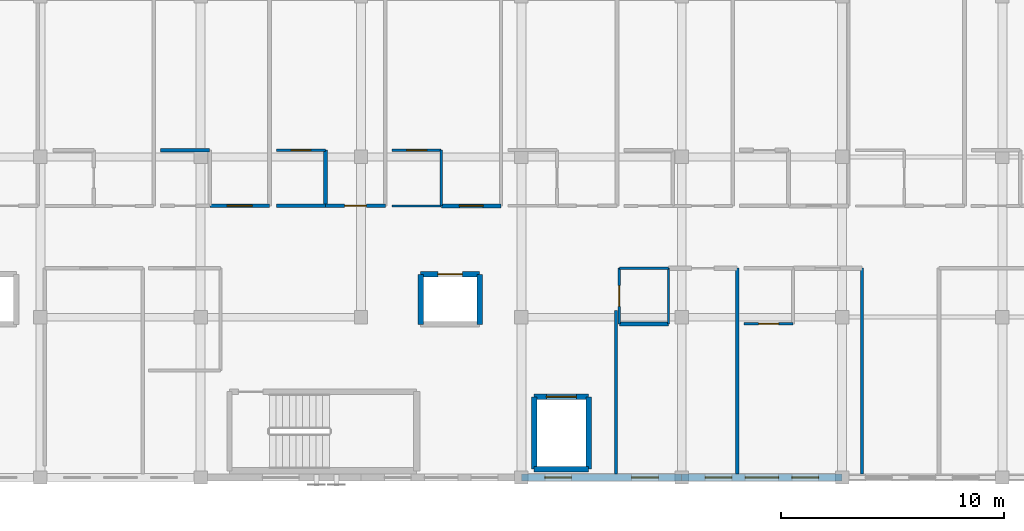
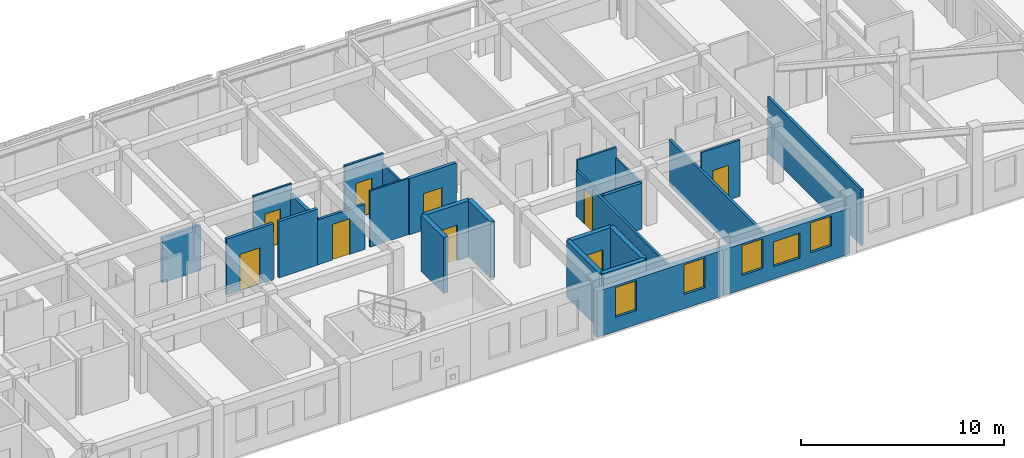
# One storey, part 35 of 41: 27 walls, 9 doors, 5 windows, 14 openings.
"""IFC4 building model written with IfcOpenShell, lengths in metres."""

import ifcopenshell
import ifcopenshell.guid

model = None  # the IFC model being written
_history = None  # IfcOwnerHistory: only IFC2X3 demands one
_inside = {}  # id of a spatial element -> (the spatial element, [elements in it])
_under = {}  # id of a project, library or spatial element -> (it, [spatial elements below it])
_declared = {}  # id of a project -> (the project, [libraries it declares])
_typed = {}  # id of a type object -> (the type object, [elements of that type])
_made_of = {}  # id of a material, layer set ... -> (it, [elements and type objects made of it])


def new_model(schema):
    """Start an empty IFC model of exactly this schema.

    Asked for "IFC4X3", IfcOpenShell would pick the latest addendum, in which some entities
    have other attributes; the version numbers below select the first issue.
    IFC2X3 requires an IfcOwnerHistory on every rooted entity: one is made here for all.
    """
    global model, _history
    if schema == "IFC4X3":
        model = ifcopenshell.file(schema_version=(4, 3, 0, 0))
    else:
        model = ifcopenshell.file(schema=schema)
    _inside.clear()
    _under.clear()
    _declared.clear()
    _typed.clear()
    _made_of.clear()
    _history = None
    if model.schema == "IFC2X3":
        org = make("IfcOrganization", Name="unknown")
        user = make(
            "IfcPersonAndOrganization",
            ThePerson=make("IfcPerson", FamilyName="unknown"),
            TheOrganization=org,
        )
        app = make(
            "IfcApplication",
            ApplicationDeveloper=org,
            Version="unknown",
            ApplicationFullName="unknown",
            ApplicationIdentifier="unknown",
        )
        _history = make(
            "IfcOwnerHistory",
            OwningUser=user,
            OwningApplication=app,
            ChangeAction="ADDED",
            CreationDate=0,
        )
    return model


def make(cls, **values):
    """One entity of the class cls with the attributes given. An attribute that is None is left unset."""
    return model.create_entity(
        cls, **{name: value for name, value in values.items() if value is not None}
    )


def rooted(cls, **values):
    """An entity with a GlobalId (a new one), such as an element, a storey or a relation."""
    return make(cls, GlobalId=ifcopenshell.guid.new(), OwnerHistory=_history, **values)


def si_unit(unit_type, name, prefix=None):
    """IfcSIUnit, for example si_unit("LENGTHUNIT", "METRE", prefix="MILLI")."""
    return make("IfcSIUnit", UnitType=unit_type, Prefix=prefix, Name=name)


def assignment(units):
    """IfcUnitAssignment: the units of a project."""
    return None if units is None else make("IfcUnitAssignment", Units=units)


def point(xyz):
    """IfcCartesianPoint."""
    return None if xyz is None else make("IfcCartesianPoint", Coordinates=xyz)


def direction(xyz):
    """IfcDirection."""
    return None if xyz is None else make("IfcDirection", DirectionRatios=xyz)


def frame(location, z_axis=None, x_axis=None):
    """IfcAxis2Placement3D, a coordinate frame: its origin and axes. An axis left out is left unset."""
    return make(
        "IfcAxis2Placement3D",
        Location=point(location),
        Axis=direction(z_axis),
        RefDirection=direction(x_axis),
    )


def frame_2d(location, x_axis=None):
    """IfcAxis2Placement2D, a coordinate frame in the plane: its origin and x axis."""
    return make(
        "IfcAxis2Placement2D", Location=point(location), RefDirection=direction(x_axis)
    )


def origin():
    """The frame at (0, 0, 0) with its axes left unset."""
    return frame((0.0, 0.0, 0.0))


def place(relative_to, where):
    """IfcLocalPlacement: puts the frame where relative to a parent placement (None: the world)."""
    return make(
        "IfcLocalPlacement", PlacementRelTo=relative_to, RelativePlacement=where
    )


def context(
    kind, dimensions, precision=None, world=None, true_north=None, identifier=None
):
    """IfcGeometricRepresentationContext, for example the 3D "Model" context."""
    return make(
        "IfcGeometricRepresentationContext",
        ContextIdentifier=identifier,
        ContextType=kind,
        CoordinateSpaceDimension=dimensions,
        Precision=precision,
        WorldCoordinateSystem=world,
        TrueNorth=true_north,
    )


def subcontext(parent, identifier, kind, view, scale=None):
    """IfcGeometricRepresentationSubContext, for example "Body" below "Model"."""
    return make(
        "IfcGeometricRepresentationSubContext",
        ContextIdentifier=identifier,
        ContextType=kind,
        ParentContext=parent,
        TargetScale=scale,
        TargetView=view,
    )


def project(units=None, contexts=None):
    """IfcProject with its units and contexts."""
    return rooted(
        "IfcProject",
        Name="project",
        RepresentationContexts=contexts,
        UnitsInContext=assignment(units),
    )


def spatial(cls, under=None, at=None, **own):
    """A site, building, storey or space (cls), placed at a placement, below another one or the project."""
    s = rooted(cls, ObjectPlacement=at, **own)
    if under is not None:
        _under.setdefault(under.id(), (under, []))[1].append(s)
    return s


def profile(cls, at=None, kind="AREA", **sizes):
    """A parametric profile (cls). Its sizes go by their IFC names, for example OverallWidth=200.0."""
    return make(cls, ProfileType=kind, Position=at, **sizes)


def rectangle(**sizes):
    """IfcRectangleProfileDef."""
    return profile("IfcRectangleProfileDef", **sizes)


def extrude(swept, where, along, depth):
    """IfcExtrudedAreaSolid: the profile swept, set in the frame where, extruded along a direction by depth."""
    return make(
        "IfcExtrudedAreaSolid",
        SweptArea=swept,
        Position=where,
        ExtrudedDirection=direction(along),
        Depth=depth,
    )


def shape(context_of_items, identifier, shape_type, items):
    """IfcShapeRepresentation: the items that make up one representation, for example the "Body"."""
    return make(
        "IfcShapeRepresentation",
        ContextOfItems=context_of_items,
        RepresentationIdentifier=identifier,
        RepresentationType=shape_type,
        Items=items,
    )


def material(Name=None, Category=None):
    """IfcMaterial."""
    return make("IfcMaterial", Name=Name, Category=Category)


def layer(
    of_material, thickness, ventilated=None, Name=None, Category=None, Priority=None
):
    """IfcMaterialLayer: one layer of a wall or slab, of a material (None: an air gap)."""
    return make(
        "IfcMaterialLayer",
        Material=of_material,
        LayerThickness=thickness,
        IsVentilated=ventilated,
        Name=Name,
        Category=Category,
        Priority=Priority,
    )


def layer_set(layers, Name=None):
    """IfcMaterialLayerSet."""
    return make("IfcMaterialLayerSet", MaterialLayers=layers, LayerSetName=Name)


def made_of(thing, what):
    """Note that an element or type object is made of a material, layer set ...; save() writes the relation."""
    if what is not None:
        _made_of.setdefault(what.id(), (what, []))[1].append(thing)
    return thing


def type_object(cls, material=None, **own):
    """A type object (cls), such as IfcWallType, which elements share."""
    return made_of(rooted(cls, **own), material)


def element(
    cls,
    number,
    at=None,
    inside=None,
    cuts=None,
    type_object=None,
    material=None,
    context=None,
    identifier="Body",
    shape_type=None,
    held_by="IfcProductDefinitionShape",
    body=None,
    shapes=None,
    **own,
):
    """One element of the class cls, such as IfcWall. Its Tag is "e" and its number.

    at: its placement. inside: the storey or other place that contains it. cuts: it is an
    opening in that element (IfcRelVoidsElement). A single representation is given by context,
    identifier, shape_type and body (its items); several are given by shapes. held_by: the class
    of the entity that holds the representations. save() writes the other relations.
    """
    e = rooted(cls, Tag="e%d" % number, ObjectPlacement=at, **own)
    if body is not None:
        shapes = [shape(context, identifier, shape_type, body)]
    if shapes is not None:
        e.Representation = make(held_by, Representations=shapes)
    if inside is not None:
        _inside.setdefault(inside.id(), (inside, []))[1].append(e)
    if cuts is not None:
        rooted(
            "IfcRelVoidsElement", RelatingBuildingElement=cuts, RelatedOpeningElement=e
        )
    if type_object is not None:
        _typed.setdefault(type_object.id(), (type_object, []))[1].append(e)
    return made_of(e, material)


def fill(opening, filler):
    """IfcRelFillsElement: the door or window that sits in an opening."""
    return rooted(
        "IfcRelFillsElement",
        RelatingOpeningElement=opening,
        RelatedBuildingElement=filler,
    )


def aggregate(whole, parts):
    """IfcRelAggregates: a whole, such as a stair, and the parts it consists of."""
    return rooted("IfcRelAggregates", RelatingObject=whole, RelatedObjects=parts)


def save(model, path):
    """Write the relations noted so far, then the file.

    IfcRelAggregates (storeys below a building ...), IfcRelContainedInSpatialStructure (elements
    in a storey), IfcRelDefinesByType, IfcRelAssociatesMaterial and IfcRelDeclares: one each for
    every whole, place, type object, material and project.
    """
    for whole, parts in _under.values():
        aggregate(whole, parts)
    for where, things in _inside.values():
        rooted(
            "IfcRelContainedInSpatialStructure",
            RelatedElements=things,
            RelatingStructure=where,
        )
    for kind, things in _typed.values():
        rooted("IfcRelDefinesByType", RelatedObjects=things, RelatingType=kind)
    for what, things in _made_of.values():
        rooted("IfcRelAssociatesMaterial", RelatedObjects=things, RelatingMaterial=what)
    for by, libraries in _declared.values():
        rooted("IfcRelDeclares", RelatingContext=by, RelatedDefinitions=libraries)
    model.write(path)


model = new_model("IFC4")

# Units and contexts
model_context = context("Model", 3, precision=1e-05, world=origin(), true_north=direction((0.0, 1.0)))
body_context = subcontext(model_context, "Body", "Model", "MODEL_VIEW")
ifc_project = project(units=[si_unit("LENGTHUNIT", "METRE"), si_unit("AREAUNIT", "SQUARE_METRE"), si_unit("VOLUMEUNIT", "CUBIC_METRE"), si_unit("PLANEANGLEUNIT", "RADIAN"), si_unit("MASSUNIT", "GRAM", prefix="KILO")], contexts=[model_context])

# Site, building, storey
site_placement = place(None, origin())
site = spatial("IfcSite", under=ifc_project, at=site_placement, CompositionType="ELEMENT")
building_placement = place(site_placement, origin())
building = spatial("IfcBuilding", under=site, at=building_placement, Name="Carrowvane Square Congress Hotel", CompositionType="ELEMENT")
storey_placement = place(building_placement, frame((0.0, 0.0, 37.199951171875)))
storey = spatial("IfcBuildingStorey", under=building, at=storey_placement, Name="L09", CompositionType="ELEMENT", Elevation=37.199951171875)

# Wall, openings, windows
ifc_material_1 = material(Name="Glazed terracotta rainscreen", Category="masonry")
ifc_layer_1 = layer(ifc_material_1, 0.330078125)
ifc_layer_set_1 = layer_set([ifc_layer_1], Name="Glazed terracotta rainscreen")
wall_type_1 = type_object("IfcWallType", Name="WL-EXT-TC330", PredefinedType="STANDARD", material=ifc_layer_set_1)
wall_1_placement = place(storey_placement, frame((126.800048828125, 91.800048828125, 0.0), z_axis=(0.0, 0.0, 1.0), x_axis=(-1.0, 0.0, 0.0)))
wall_1 = element("IfcWall", 1, at=wall_1_placement, inside=storey, type_object=wall_type_1, Name="L09 exterior facade wall 567", PredefinedType="STANDARD", context=body_context, shape_type="SweptSolid", body=[
    extrude(rectangle(XDim=7.199951171875, YDim=0.330078125, at=frame_2d((3.60009765625, 0.0))), origin(), (0.0, 0.0, 1.0), 2.76513671875),
])
opening_1_placement = place(wall_1_placement, frame((2.85009765625, 0.0, 0.75)))
opening_1 = element("IfcOpeningElement", 2, at=opening_1_placement, cuts=wall_1, Name="Opening W-15", PredefinedType="OPENING", context=body_context, shape_type="SweptSolid", body=[
    extrude(rectangle(XDim=1.5, YDim=1.5, at=frame_2d((0.75, 0.75))), frame((0.0, 0.175048828125, 0.0), z_axis=(0.0, -1.0, 0.0), x_axis=(1.0, 0.0, 0.0)), (0.0, 0.0, 1.0), 0.35009765625),
])
opening_2_placement = place(wall_1_placement, frame((1.050048828125, 0.0, 0.85009765625)))
opening_2 = element("IfcOpeningElement", 3, at=opening_2_placement, cuts=wall_1, Name="Opening W-01", PredefinedType="OPENING", context=body_context, shape_type="SweptSolid", body=[
    extrude(rectangle(XDim=1.199951171875, YDim=1.800048828125, at=frame_2d((0.60009765625, 0.89990234375))), frame((0.0, 0.175048828125, 0.0), z_axis=(0.0, -1.0, 0.0), x_axis=(1.0, 0.0, 0.0)), (0.0, 0.0, 1.0), 0.35009765625),
])
opening_3_placement = place(wall_1_placement, frame((4.949951171875, 0.0, 0.85009765625)))
opening_3 = element("IfcOpeningElement", 4, at=opening_3_placement, cuts=wall_1, Name="Opening W-01", PredefinedType="OPENING", context=body_context, shape_type="SweptSolid", body=[
    extrude(rectangle(XDim=1.199951171875, YDim=1.800048828125, at=frame_2d((0.60009765625, 0.89990234375))), frame((0.0, 0.175048828125, 0.0), z_axis=(0.0, -1.0, 0.0), x_axis=(1.0, 0.0, 0.0)), (0.0, 0.0, 1.0), 0.35009765625),
])
ifc_material_2 = material(Name="Double-glazed low-E glass", Category="glass")
window_type_1 = type_object("IfcWindowType", Name="WIN-01", PartitioningType="SINGLE_PANEL", PredefinedType="WINDOW", material=ifc_material_2)
window_1_placement = place(opening_2_placement, origin())
window_1 = element("IfcWindow", 5, at=window_1_placement, inside=storey, type_object=window_type_1, Name="L09 guest bedroom window 418", OverallHeight=1.800048828125, OverallWidth=1.199951171875, PartitioningType="SINGLE_PANEL", PredefinedType="WINDOW", context=body_context, shape_type="SweptSolid", body=[
    extrude(rectangle(XDim=1.199951171875, YDim=1.800048828125, at=frame_2d((0.60009765625, 0.89990234375))), frame((0.0, 0.030029296875, 0.0), z_axis=(0.0, -1.0, 0.0), x_axis=(1.0, 0.0, 0.0)), (0.0, 0.0, 1.0), 0.06005859375),
])
fill(opening_2, window_1)
window_2_placement = place(opening_3_placement, origin())
window_2 = element("IfcWindow", 6, at=window_2_placement, inside=storey, type_object=window_type_1, Name="L09 guest bedroom window 419", OverallHeight=1.800048828125, OverallWidth=1.199951171875, PartitioningType="SINGLE_PANEL", PredefinedType="WINDOW", context=body_context, shape_type="SweptSolid", body=[
    extrude(rectangle(XDim=1.199951171875, YDim=1.800048828125, at=frame_2d((0.60009765625, 0.89990234375))), frame((0.0, 0.030029296875, 0.0), z_axis=(0.0, -1.0, 0.0), x_axis=(1.0, 0.0, 0.0)), (0.0, 0.0, 1.0), 0.06005859375),
])
fill(opening_3, window_2)
ifc_material_3 = material(Name="Double-glazed low-E glass", Category="glass")
window_type_2 = type_object("IfcWindowType", Name="WIN-15", PartitioningType="SINGLE_PANEL", PredefinedType="WINDOW", material=ifc_material_3)
window_3_placement = place(opening_1_placement, origin())
window_3 = element("IfcWindow", 7, at=window_3_placement, inside=storey, type_object=window_type_2, Name="L09 facade window 417", OverallHeight=1.5, OverallWidth=1.5, PartitioningType="SINGLE_PANEL", PredefinedType="WINDOW", context=body_context, shape_type="SweptSolid", body=[
    extrude(rectangle(XDim=1.5, YDim=1.5, at=frame_2d((0.75, 0.75))), frame((0.0, 0.030029296875, 0.0), z_axis=(0.0, -1.0, 0.0), x_axis=(1.0, 0.0, 0.0)), (0.0, 0.0, 1.0), 0.06005859375),
])
fill(opening_1, window_3)

wall_2_placement = place(storey_placement, frame((119.60009765625, 91.800048828125, 0.0), z_axis=(0.0, 0.0, 1.0), x_axis=(-1.0, 0.0, 0.0)))
wall_2 = element("IfcWall", 8, at=wall_2_placement, inside=storey, type_object=wall_type_1, Name="L09 exterior facade wall 568", PredefinedType="STANDARD", context=body_context, shape_type="SweptSolid", body=[
    extrude(rectangle(XDim=7.2001953125, YDim=0.330078125, at=frame_2d((3.60009765625, 0.0))), origin(), (0.0, 0.0, 1.0), 2.76513671875),
])
opening_4_placement = place(wall_2_placement, frame((1.050048828125, 0.0, 0.85009765625)))
opening_4 = element("IfcOpeningElement", 9, at=opening_4_placement, cuts=wall_2, Name="Opening W-01", PredefinedType="OPENING", context=body_context, shape_type="SweptSolid", body=[
    extrude(rectangle(XDim=1.199951171875, YDim=1.800048828125, at=frame_2d((0.60009765625, 0.89990234375))), frame((0.0, 0.175048828125, 0.0), z_axis=(0.0, -1.0, 0.0), x_axis=(1.0, 0.0, 0.0)), (0.0, 0.0, 1.0), 0.35009765625),
])
opening_5_placement = place(wall_2_placement, frame((4.949951171875, 0.0, 0.85009765625)))
opening_5 = element("IfcOpeningElement", 10, at=opening_5_placement, cuts=wall_2, Name="Opening W-01", PredefinedType="OPENING", context=body_context, shape_type="SweptSolid", body=[
    extrude(rectangle(XDim=1.199951171875, YDim=1.800048828125, at=frame_2d((0.60009765625, 0.89990234375))), frame((0.0, 0.175048828125, 0.0), z_axis=(0.0, -1.0, 0.0), x_axis=(1.0, 0.0, 0.0)), (0.0, 0.0, 1.0), 0.35009765625),
])
window_4_placement = place(opening_4_placement, origin())
window_4 = element("IfcWindow", 11, at=window_4_placement, inside=storey, type_object=window_type_1, Name="L09 guest bedroom window 421", OverallHeight=1.800048828125, OverallWidth=1.199951171875, PartitioningType="SINGLE_PANEL", PredefinedType="WINDOW", context=body_context, shape_type="SweptSolid", body=[
    extrude(rectangle(XDim=1.199951171875, YDim=1.800048828125, at=frame_2d((0.60009765625, 0.89990234375))), frame((0.0, 0.030029296875, 0.0), z_axis=(0.0, -1.0, 0.0), x_axis=(1.0, 0.0, 0.0)), (0.0, 0.0, 1.0), 0.06005859375),
])
fill(opening_4, window_4)
window_5_placement = place(opening_5_placement, origin())
window_5 = element("IfcWindow", 12, at=window_5_placement, inside=storey, type_object=window_type_1, Name="L09 guest bedroom window 422", OverallHeight=1.800048828125, OverallWidth=1.199951171875, PartitioningType="SINGLE_PANEL", PredefinedType="WINDOW", context=body_context, shape_type="SweptSolid", body=[
    extrude(rectangle(XDim=1.199951171875, YDim=1.800048828125, at=frame_2d((0.60009765625, 0.89990234375))), frame((0.0, 0.030029296875, 0.0), z_axis=(0.0, -1.0, 0.0), x_axis=(1.0, 0.0, 0.0)), (0.0, 0.0, 1.0), 0.06005859375),
])
fill(opening_5, window_5)

# Wall
ifc_material_4 = material(Name="Acoustic gypsum board", Category="gypsum")
ifc_layer_2 = layer(ifc_material_4, 0.169921875)
ifc_layer_set_2 = layer_set([ifc_layer_2], Name="Acoustic gypsum board")
wall_type_2 = type_object("IfcWallType", Name="WL-FIR-170", PredefinedType="PARTITIONING", material=ifc_layer_set_2)
wall_3_placement = place(storey_placement, frame((96.199951171875, 106.5, 0.0), z_axis=(0.0, 0.0, 1.0), x_axis=(1.0, 0.0, 0.0)))
element("IfcWall", 13, at=wall_3_placement, inside=storey, type_object=wall_type_2, Name="L09 En-suite Bathroom 0916 partition", PredefinedType="PARTITIONING", context=body_context, shape_type="SweptSolid", body=[
    extrude(rectangle(XDim=2.199951171875, YDim=0.169921875, at=frame_2d((1.10009765625, 0.0))), origin(), (0.0, 0.0, 1.0), 2.715087890625),
])

# Wall, opening, door
wall_4_placement = place(storey_placement, frame((101.090087890625, 104.0, 0.0), z_axis=(0.0, 0.0, 1.0), x_axis=(-1.0, 0.0, 0.0)))
wall_4 = element("IfcWall", 14, at=wall_4_placement, inside=storey, type_object=wall_type_2, Name="L09 Parkview Guest Bedroom 0916 partition", PredefinedType="PARTITIONING", context=body_context, shape_type="SweptSolid", body=[
    extrude(rectangle(XDim=2.68017578125, YDim=0.169921875, at=frame_2d((1.340087890625, 0.0))), origin(), (0.0, 0.0, 1.0), 3.380126953125),
])
opening_6_placement = place(wall_4_placement, frame((0.780029296875, 0.0, 0.0)))
opening_6 = element("IfcOpeningElement", 15, at=opening_6_placement, cuts=wall_4, Name="Opening FD-10", PredefinedType="OPENING", context=body_context, shape_type="SweptSolid", body=[
    extrude(rectangle(XDim=1.1201171875, YDim=2.199951171875, at=frame_2d((0.56005859375, 1.10009765625))), frame((0.0, 0.094970703125, 0.0), z_axis=(0.0, -1.0, 0.0), x_axis=(1.0, 0.0, 0.0)), (0.0, 0.0, 1.0), 0.18994140625),
])
ifc_material_5 = material(Name="European oak timber", Category="wood")
door_type_1 = type_object("IfcDoorType", Name="DR-FD30-1120x2200", OperationType="NOTDEFINED", PredefinedType="DOOR", material=ifc_material_5)
door_1_placement = place(opening_6_placement, origin())
door_1 = element("IfcDoor", 16, at=door_1_placement, inside=storey, type_object=door_type_1, Name="L09 Parkview Guest Bedroom 0916 entrance door", OperationType="SINGLE_SWING_RIGHT", OverallHeight=2.199951171875, OverallWidth=1.1201171875, PredefinedType="DOOR", context=body_context, shape_type="SweptSolid", body=[
    extrude(rectangle(XDim=1.1201171875, YDim=2.199951171875, at=frame_2d((0.56005859375, 1.10009765625))), frame((0.0, 0.02490234375, 0.0), z_axis=(0.0, -1.0, 0.0), x_axis=(1.0, 0.0, 0.0)), (0.0, 0.0, 1.0), 0.050048828125),
])
fill(opening_6, door_1)

# Walls
wall_5_placement = place(storey_placement, frame((103.60009765625, 104.0, 0.0), z_axis=(0.0, 0.0, 1.0), x_axis=(-1.0, 0.0, 0.0)))
element("IfcWall", 17, at=wall_5_placement, inside=storey, type_object=wall_type_2, Name="L09 En-suite Bathroom 0917 partition", PredefinedType="PARTITIONING", context=body_context, shape_type="SweptSolid", body=[
    extrude(rectangle(XDim=2.2001953125, YDim=0.169921875, at=frame_2d((1.10009765625, 0.0))), origin(), (0.0, 0.0, 1.0), 3.380126953125),
])
ifc_material_6 = material(Name="Acoustic gypsum board", Category="gypsum")
ifc_layer_3 = layer(ifc_material_6, 0.18505859375)
ifc_layer_set_3 = layer_set([ifc_layer_3], Name="Acoustic gypsum board")
wall_type_3 = type_object("IfcWallType", Name="WL-FIR-185", PredefinedType="PARTITIONING", material=ifc_layer_set_3)
wall_6_placement = place(storey_placement, frame((119.0, 98.699951171875, 0.0), z_axis=(0.0, 0.0, 1.0), x_axis=(-1.0, 0.0, 0.0)))
element("IfcWall", 18, at=wall_6_placement, inside=storey, type_object=wall_type_3, Name="L09 En-suite Bathroom 0905 partition", PredefinedType="PARTITIONING", context=body_context, shape_type="SweptSolid", body=[
    extrude(rectangle(XDim=2.199951171875, YDim=0.18505859375, at=frame_2d((1.10009765625, 0.0))), origin(), (0.0, 0.0, 1.0), 2.76513671875),
])
wall_7_placement = place(storey_placement, frame((103.60009765625, 106.5, 0.0), z_axis=(0.0, 0.0, 1.0), x_axis=(0.0, -1.0, 0.0)))
element("IfcWall", 19, at=wall_7_placement, inside=storey, type_object=wall_type_3, Name="L09 En-suite Bathroom 0917 partition", PredefinedType="PARTITIONING", context=body_context, shape_type="SweptSolid", body=[
    extrude(rectangle(XDim=2.5, YDim=0.18505859375, at=frame_2d((1.25, 0.0))), origin(), (0.0, 0.0, 1.0), 2.76513671875),
])

# Wall, opening, door
wall_8_placement = place(storey_placement, frame((111.489990234375, 104.0, 0.0), z_axis=(0.0, 0.0, 1.0), x_axis=(-1.0, 0.0, 0.0)))
wall_8 = element("IfcWall", 20, at=wall_8_placement, inside=storey, type_object=wall_type_3, Name="L09 Parkview Guest Bedroom 0918 partition", PredefinedType="PARTITIONING", context=body_context, shape_type="SweptSolid", body=[
    extrude(rectangle(XDim=2.679931640625, YDim=0.18505859375, at=frame_2d((1.33984375, 0.0))), origin(), (0.0, 0.0, 1.0), 3.380126953125),
])
opening_7_placement = place(wall_8_placement, frame((0.81005859375, 0.0, 0.0)))
opening_7 = element("IfcOpeningElement", 21, at=opening_7_placement, cuts=wall_8, Name="Opening FD-09", PredefinedType="OPENING", context=body_context, shape_type="SweptSolid", body=[
    extrude(rectangle(XDim=1.06005859375, YDim=2.199951171875, at=frame_2d((0.530029296875, 1.10009765625))), frame((0.0, 0.1025390625, 0.0), z_axis=(0.0, -1.0, 0.0), x_axis=(1.0, 0.0, 0.0)), (0.0, 0.0, 1.0), 0.205078125),
])
ifc_material_7 = material(Name="European oak timber", Category="wood")
door_type_2 = type_object("IfcDoorType", Name="DR-FD30-1060x2200", OperationType="NOTDEFINED", PredefinedType="DOOR", material=ifc_material_7)
door_2_placement = place(opening_7_placement, origin())
door_2 = element("IfcDoor", 22, at=door_2_placement, inside=storey, type_object=door_type_2, Name="L09 Parkview Guest Bedroom 0918 entrance door", OperationType="SINGLE_SWING_RIGHT", OverallHeight=2.199951171875, OverallWidth=1.06005859375, PredefinedType="DOOR", context=body_context, shape_type="SweptSolid", body=[
    extrude(rectangle(XDim=1.06005859375, YDim=2.199951171875, at=frame_2d((0.530029296875, 1.10009765625))), frame((0.0, 0.02490234375, 0.0), z_axis=(0.0, -1.0, 0.0), x_axis=(1.0, 0.0, 0.0)), (0.0, 0.0, 1.0), 0.050048828125),
])
fill(opening_7, door_2)

# Wall
ifc_material_8 = material(Name="Acoustic gypsum board", Category="gypsum")
ifc_layer_4 = layer(ifc_material_8, 0.097900390625)
ifc_layer_set_4 = layer_set([ifc_layer_4], Name="Acoustic gypsum board")
wall_type_4 = type_object("IfcWallType", Name="WL-PRT-098", PredefinedType="PARTITIONING", material=ifc_layer_set_4)
wall_9_placement = place(storey_placement, frame((119.0, 101.199951171875, 0.0), z_axis=(0.0, 0.0, 1.0), x_axis=(0.0, -1.0, 0.0)))
element("IfcWall", 23, at=wall_9_placement, inside=storey, type_object=wall_type_4, Name="L09 En-suite Bathroom 0905 partition", PredefinedType="PARTITIONING", context=body_context, shape_type="SweptSolid", body=[
    extrude(rectangle(XDim=2.5, YDim=0.097900390625, at=frame_2d((1.25, 0.0))), origin(), (0.0, 0.0, 1.0), 2.76513671875),
])

# Wall, opening, door
wall_10_placement = place(storey_placement, frame((101.39990234375, 106.5, 0.0), z_axis=(0.0, 0.0, 1.0), x_axis=(1.0, 0.0, 0.0)))
wall_10 = element("IfcWall", 24, at=wall_10_placement, inside=storey, type_object=wall_type_4, Name="L09 En-suite Bathroom 0917 partition", PredefinedType="PARTITIONING", context=body_context, shape_type="SweptSolid", body=[
    extrude(rectangle(XDim=2.2001953125, YDim=0.097900390625, at=frame_2d((1.10009765625, 0.0))), origin(), (0.0, 0.0, 1.0), 3.380126953125),
])
opening_8_placement = place(wall_10_placement, frame((0.6650390625, 0.0, 0.0)))
opening_8 = element("IfcOpeningElement", 25, at=opening_8_placement, cuts=wall_10, Name="Opening ID-15", PredefinedType="OPENING", context=body_context, shape_type="SweptSolid", body=[
    extrude(rectangle(XDim=0.8701171875, YDim=2.070068359375, at=frame_2d((0.43505859375, 1.03515625))), frame((0.0, 0.058837890625, 0.0), z_axis=(0.0, -1.0, 0.0), x_axis=(1.0, 0.0, 0.0)), (0.0, 0.0, 1.0), 0.117919921875),
])
ifc_material_9 = material(Name="European oak timber", Category="wood")
door_type_3 = type_object("IfcDoorType", Name="DR-INT-0870x2070", OperationType="NOTDEFINED", PredefinedType="DOOR", material=ifc_material_9)
door_3_placement = place(opening_8_placement, origin())
door_3 = element("IfcDoor", 26, at=door_3_placement, inside=storey, type_object=door_type_3, Name="L09 En-suite Bathroom 0917 door", OperationType="SINGLE_SWING_LEFT", OverallHeight=2.070068359375, OverallWidth=0.8701171875, PredefinedType="DOOR", context=body_context, shape_type="SweptSolid", body=[
    extrude(rectangle(XDim=0.8701171875, YDim=2.070068359375, at=frame_2d((0.43505859375, 1.03515625))), frame((0.0, 0.02490234375, 0.0), z_axis=(0.0, -1.0, 0.0), x_axis=(1.0, 0.0, 0.0)), (0.0, 0.0, 1.0), 0.050048828125),
])
fill(opening_8, door_3)

# Walls
wall_11_placement = place(storey_placement, frame((108.800048828125, 104.0, 0.0), z_axis=(0.0, 0.0, 1.0), x_axis=(-1.0, 0.0, 0.0)))
element("IfcWall", 27, at=wall_11_placement, inside=storey, type_object=wall_type_4, Name="L09 En-suite Bathroom 0918 partition", PredefinedType="PARTITIONING", context=body_context, shape_type="SweptSolid", body=[
    extrude(rectangle(XDim=2.199951171875, YDim=0.097900390625, at=frame_2d((1.10009765625, 0.0))), origin(), (0.0, 0.0, 1.0), 3.380126953125),
])
ifc_material_10 = material(Name="Acoustic gypsum board", Category="gypsum")
ifc_layer_5 = layer(ifc_material_10, 0.10791015625)
ifc_layer_set_5 = layer_set([ifc_layer_5], Name="Acoustic gypsum board")
wall_type_5 = type_object("IfcWallType", Name="WL-PRT-108", PredefinedType="PARTITIONING", material=ifc_layer_set_5)
wall_12_placement = place(storey_placement, frame((116.800048828125, 101.199951171875, 0.0), z_axis=(0.0, 0.0, 1.0), x_axis=(1.0, 0.0, 0.0)))
element("IfcWall", 28, at=wall_12_placement, inside=storey, type_object=wall_type_5, Name="L09 En-suite Bathroom 0905 partition", PredefinedType="PARTITIONING", context=body_context, shape_type="SweptSolid", body=[
    extrude(rectangle(XDim=2.199951171875, YDim=0.10791015625, at=frame_2d((1.10009765625, 0.0))), origin(), (0.0, 0.0, 1.0), 3.380126953125),
])
wall_13_placement = place(storey_placement, frame((108.800048828125, 106.5, 0.0), z_axis=(0.0, 0.0, 1.0), x_axis=(0.0, -1.0, 0.0)))
element("IfcWall", 29, at=wall_13_placement, inside=storey, type_object=wall_type_5, Name="L09 En-suite Bathroom 0918 partition", PredefinedType="PARTITIONING", context=body_context, shape_type="SweptSolid", body=[
    extrude(rectangle(XDim=2.5, YDim=0.10791015625, at=frame_2d((1.25, 0.0))), origin(), (0.0, 0.0, 1.0), 2.76513671875),
])

# Wall, opening, door
ifc_material_11 = material(Name="Acoustic gypsum board", Category="gypsum")
ifc_layer_6 = layer(ifc_material_11, 0.117919921875)
ifc_layer_set_6 = layer_set([ifc_layer_6], Name="Acoustic gypsum board")
wall_type_6 = type_object("IfcWallType", Name="WL-PRT-118", PredefinedType="PARTITIONING", material=ifc_layer_set_6)
wall_14_placement = place(storey_placement, frame((116.800048828125, 98.699951171875, 0.0), z_axis=(0.0, 0.0, 1.0), x_axis=(0.0, 1.0, 0.0)))
wall_14 = element("IfcWall", 30, at=wall_14_placement, inside=storey, type_object=wall_type_6, Name="L09 En-suite Bathroom 0905 partition", PredefinedType="PARTITIONING", context=body_context, shape_type="SweptSolid", body=[
    extrude(rectangle(XDim=2.5, YDim=0.117919921875, at=frame_2d((1.25, 0.0))), origin(), (0.0, 0.0, 1.0), 2.76513671875),
])
opening_9_placement = place(wall_14_placement, frame((0.784912109375, 0.0, 0.0)))
opening_9 = element("IfcOpeningElement", 31, at=opening_9_placement, cuts=wall_14, Name="Opening ID-18", PredefinedType="OPENING", context=body_context, shape_type="SweptSolid", body=[
    extrude(rectangle(XDim=0.929931640625, YDim=2.1298828125, at=frame_2d((0.46484375, 1.06494140625))), frame((0.0, 0.06884765625, 0.0), z_axis=(0.0, -1.0, 0.0), x_axis=(1.0, 0.0, 0.0)), (0.0, 0.0, 1.0), 0.137939453125),
])
ifc_material_12 = material(Name="European oak timber", Category="wood")
door_type_4 = type_object("IfcDoorType", Name="DR-INT-0930x2130", OperationType="NOTDEFINED", PredefinedType="DOOR", material=ifc_material_12)
door_4_placement = place(opening_9_placement, origin())
door_4 = element("IfcDoor", 32, at=door_4_placement, inside=storey, type_object=door_type_4, Name="L09 En-suite Bathroom 0905 door", OperationType="SINGLE_SWING_LEFT", OverallHeight=2.1298828125, OverallWidth=0.929931640625, PredefinedType="DOOR", context=body_context, shape_type="SweptSolid", body=[
    extrude(rectangle(XDim=0.929931640625, YDim=2.1298828125, at=frame_2d((0.46484375, 1.06494140625))), frame((0.0, 0.02490234375, 0.0), z_axis=(0.0, -1.0, 0.0), x_axis=(1.0, 0.0, 0.0)), (0.0, 0.0, 1.0), 0.050048828125),
])
fill(opening_9, door_4)

wall_15_placement = place(storey_placement, frame((124.60009765625, 98.699951171875, 0.0), z_axis=(0.0, 0.0, 1.0), x_axis=(-1.0, 0.0, 0.0)))
wall_15 = element("IfcWall", 33, at=wall_15_placement, inside=storey, type_object=wall_type_6, Name="L09 En-suite Bathroom 0906 partition", PredefinedType="PARTITIONING", context=body_context, shape_type="SweptSolid", body=[
    extrude(rectangle(XDim=2.2001953125, YDim=0.117919921875, at=frame_2d((1.10009765625, 0.0))), origin(), (0.0, 0.0, 1.0), 3.380126953125),
])
opening_10_placement = place(wall_15_placement, frame((0.64990234375, 0.0, 0.0)))
opening_10 = element("IfcOpeningElement", 34, at=opening_10_placement, cuts=wall_15, Name="Opening ID-02", PredefinedType="OPENING", context=body_context, shape_type="SweptSolid", body=[
    extrude(rectangle(XDim=0.89990234375, YDim=2.080078125, at=frame_2d((0.449951171875, 1.0400390625))), frame((0.0, 0.06884765625, 0.0), z_axis=(0.0, -1.0, 0.0), x_axis=(1.0, 0.0, 0.0)), (0.0, 0.0, 1.0), 0.137939453125),
])
ifc_material_13 = material(Name="European oak timber", Category="wood")
door_type_5 = type_object("IfcDoorType", Name="DR-INT-0900x2080", OperationType="NOTDEFINED", PredefinedType="DOOR", material=ifc_material_13)
door_5_placement = place(opening_10_placement, origin())
door_5 = element("IfcDoor", 35, at=door_5_placement, inside=storey, type_object=door_type_5, Name="L09 En-suite Bathroom 0906 door", OperationType="SINGLE_SWING_LEFT", OverallHeight=2.080078125, OverallWidth=0.89990234375, PredefinedType="DOOR", context=body_context, shape_type="SweptSolid", body=[
    extrude(rectangle(XDim=0.89990234375, YDim=2.080078125, at=frame_2d((0.449951171875, 1.0400390625))), frame((0.0, 0.02490234375, 0.0), z_axis=(0.0, -1.0, 0.0), x_axis=(1.0, 0.0, 0.0)), (0.0, 0.0, 1.0), 0.050048828125),
])
fill(opening_10, door_5)

wall_16_placement = place(storey_placement, frame((106.60009765625, 106.5, 0.0), z_axis=(0.0, 0.0, 1.0), x_axis=(1.0, 0.0, 0.0)))
wall_16 = element("IfcWall", 36, at=wall_16_placement, inside=storey, type_object=wall_type_6, Name="L09 En-suite Bathroom 0918 partition", PredefinedType="PARTITIONING", context=body_context, shape_type="SweptSolid", body=[
    extrude(rectangle(XDim=2.199951171875, YDim=0.117919921875, at=frame_2d((1.10009765625, 0.0))), origin(), (0.0, 0.0, 1.0), 3.380126953125),
])
opening_11_placement = place(wall_16_placement, frame((0.64501953125, 0.0, 0.0)))
opening_11 = element("IfcOpeningElement", 37, at=opening_11_placement, cuts=wall_16, Name="Opening ID-17", PredefinedType="OPENING", context=body_context, shape_type="SweptSolid", body=[
    extrude(rectangle(XDim=0.909912109375, YDim=2.110107421875, at=frame_2d((0.455078125, 1.05517578125))), frame((0.0, 0.06884765625, 0.0), z_axis=(0.0, -1.0, 0.0), x_axis=(1.0, 0.0, 0.0)), (0.0, 0.0, 1.0), 0.137939453125),
])
ifc_material_14 = material(Name="European oak timber", Category="wood")
door_type_6 = type_object("IfcDoorType", Name="DR-INT-0910x2110", OperationType="NOTDEFINED", PredefinedType="DOOR", material=ifc_material_14)
door_6_placement = place(opening_11_placement, origin())
door_6 = element("IfcDoor", 38, at=door_6_placement, inside=storey, type_object=door_type_6, Name="L09 En-suite Bathroom 0918 door", OperationType="SINGLE_SWING_LEFT", OverallHeight=2.110107421875, OverallWidth=0.909912109375, PredefinedType="DOOR", context=body_context, shape_type="SweptSolid", body=[
    extrude(rectangle(XDim=0.909912109375, YDim=2.110107421875, at=frame_2d((0.455078125, 1.05517578125))), frame((0.0, 0.02490234375, 0.0), z_axis=(0.0, -1.0, 0.0), x_axis=(1.0, 0.0, 0.0)), (0.0, 0.0, 1.0), 0.050048828125),
])
fill(opening_11, door_6)

# Walls
ifc_material_15 = material(Name="Acoustic gypsum board", Category="gypsum")
ifc_layer_7 = layer(ifc_material_15, 0.137939453125)
ifc_layer_set_7 = layer_set([ifc_layer_7], Name="Acoustic gypsum board")
wall_type_7 = type_object("IfcWallType", Name="WL-PRT-138", PredefinedType="PARTITIONING", material=ifc_layer_set_7)
wall_17_placement = place(storey_placement, frame((116.64990234375, 91.9599609375, 0.0), z_axis=(0.0, 0.0, 1.0), x_axis=(0.0, 1.0, 0.0)))
element("IfcWall", 39, at=wall_17_placement, inside=storey, type_object=wall_type_7, Name="L09 Hotel Suite 0905 partition", PredefinedType="PARTITIONING", context=body_context, shape_type="SweptSolid", body=[
    extrude(rectangle(XDim=7.344970703125, YDim=0.137939453125, at=frame_2d((3.67236328125, 0.0))), origin(), (0.0, 0.0, 1.0), 2.76513671875),
])
wall_18_placement = place(storey_placement, frame((127.68994140625, 101.199951171875, 0.0), z_axis=(0.0, 0.0, 1.0), x_axis=(0.0, -1.0, 0.0)))
element("IfcWall", 40, at=wall_18_placement, inside=storey, type_object=wall_type_7, Name="L09 Hotel Suite 0906 partition", PredefinedType="PARTITIONING", context=body_context, shape_type="SweptSolid", body=[
    extrude(rectangle(XDim=9.239990234375, YDim=0.137939453125, at=frame_2d((4.6201171875, 0.0))), origin(), (0.0, 0.0, 1.0), 3.380126953125),
])
ifc_material_16 = material(Name="Acoustic gypsum board", Category="gypsum")
ifc_layer_8 = layer(ifc_material_16, 0.14794921875)
ifc_layer_set_8 = layer_set([ifc_layer_8], Name="Acoustic gypsum board")
wall_type_8 = type_object("IfcWallType", Name="WL-PRT-148", PredefinedType="PARTITIONING", material=ifc_layer_set_8)
wall_19_placement = place(storey_placement, frame((122.090087890625, 101.199951171875, 0.0), z_axis=(0.0, 0.0, 1.0), x_axis=(0.0, -1.0, 0.0)))
element("IfcWall", 41, at=wall_19_placement, inside=storey, type_object=wall_type_8, Name="L09 Hotel Suite 0905 partition", PredefinedType="PARTITIONING", context=body_context, shape_type="SweptSolid", body=[
    extrude(rectangle(XDim=9.239990234375, YDim=0.14794921875, at=frame_2d((4.6201171875, 0.0))), origin(), (0.0, 0.0, 1.0), 2.76513671875),
])

# Wall, opening, door
wall_20_placement = place(storey_placement, frame((106.2900390625, 104.0, 0.0), z_axis=(0.0, 0.0, 1.0), x_axis=(-1.0, 0.0, 0.0)))
wall_20 = element("IfcWall", 42, at=wall_20_placement, inside=storey, type_object=wall_type_8, Name="L09 Parkview Guest Bedroom 0917 partition", PredefinedType="PARTITIONING", context=body_context, shape_type="SweptSolid", body=[
    extrude(rectangle(XDim=2.679931640625, YDim=0.14794921875, at=frame_2d((1.33984375, 0.0))), origin(), (0.0, 0.0, 1.0), 2.715087890625),
])
opening_12_placement = place(wall_20_placement, frame((0.85009765625, 0.0, 0.0)))
opening_12 = element("IfcOpeningElement", 43, at=opening_12_placement, cuts=wall_20, Name="Opening FD-07", PredefinedType="OPENING", context=body_context, shape_type="SweptSolid", body=[
    extrude(rectangle(XDim=0.97998046875, YDim=2.14990234375, at=frame_2d((0.489990234375, 1.074951171875))), frame((0.0, 0.083984375, 0.0), z_axis=(0.0, -1.0, 0.0), x_axis=(1.0, 0.0, 0.0)), (0.0, 0.0, 1.0), 0.16796875),
])
ifc_material_17 = material(Name="European oak timber", Category="wood")
door_type_7 = type_object("IfcDoorType", Name="DR-FD30-0980x2150", OperationType="NOTDEFINED", PredefinedType="DOOR", material=ifc_material_17)
door_7_placement = place(opening_12_placement, origin())
door_7 = element("IfcDoor", 44, at=door_7_placement, inside=storey, type_object=door_type_7, Name="L09 Parkview Guest Bedroom 0917 entrance door", OperationType="SINGLE_SWING_RIGHT", OverallHeight=2.14990234375, OverallWidth=0.97998046875, PredefinedType="DOOR", context=body_context, shape_type="SweptSolid", body=[
    extrude(rectangle(XDim=0.97998046875, YDim=2.14990234375, at=frame_2d((0.489990234375, 1.074951171875))), frame((0.0, 0.02490234375, 0.0), z_axis=(0.0, -1.0, 0.0), x_axis=(1.0, 0.0, 0.0)), (0.0, 0.0, 1.0), 0.050048828125),
])
fill(opening_12, door_7)

# Wall
ifc_material_18 = material(Name="Concrete C40/50", Category="concrete")
ifc_layer_9 = layer(ifc_material_18, 0.25)
ifc_layer_set_9 = layer_set([ifc_layer_9], Name="Concrete C40/50")
wall_type_9 = type_object("IfcWallType", Name="WL-SHR-250", PredefinedType="SHEAR", material=ifc_layer_set_9)
wall_21_placement = place(storey_placement, frame((110.52490234375, 98.675048828125, 0.0), z_axis=(0.0, 0.0, 1.0), x_axis=(0.0, 1.0, 0.0)))
element("IfcWall", 45, at=wall_21_placement, inside=storey, type_object=wall_type_9, Name="L09 HL-3 shaft wall east", PredefinedType="SHEAR", context=body_context, shape_type="SweptSolid", body=[
    extrude(rectangle(XDim=2.25, YDim=0.25, at=frame_2d((1.125, 0.0))), origin(), (0.0, 0.0, 1.0), 3.380126953125),
])

# Wall, opening, door
wall_22_placement = place(storey_placement, frame((110.52490234375, 100.925048828125, 0.0), z_axis=(0.0, 0.0, 1.0), x_axis=(-1.0, 0.0, 0.0)))
wall_22 = element("IfcWall", 46, at=wall_22_placement, inside=storey, type_object=wall_type_9, Name="L09 HL-3 shaft wall north", PredefinedType="SHEAR", context=body_context, shape_type="SweptSolid", body=[
    extrude(rectangle(XDim=2.64990234375, YDim=0.25, at=frame_2d((1.324951171875, 0.0))), origin(), (0.0, 0.0, 1.0), 3.380126953125),
])
opening_13_placement = place(wall_22_placement, frame((0.77490234375, 0.0, 0.0)))
opening_13 = element("IfcOpeningElement", 47, at=opening_13_placement, cuts=wall_22, Name="Opening LD-HL-3", PredefinedType="OPENING", context=body_context, shape_type="SweptSolid", body=[
    extrude(rectangle(XDim=1.10009765625, YDim=2.14990234375, at=frame_2d((0.550048828125, 1.074951171875))), frame((0.0, 0.135009765625, 0.0), z_axis=(0.0, -1.0, 0.0), x_axis=(1.0, 0.0, 0.0)), (0.0, 0.0, 1.0), 0.27001953125),
])
ifc_material_19 = material(Name="Stainless steel 316", Category="steel")
door_type_8 = type_object("IfcDoorType", Name="DR-LD-1100x2150", OperationType="DOUBLE_DOOR_SLIDING", PredefinedType="DOOR", material=ifc_material_19)
door_8_placement = place(opening_13_placement, origin())
door_8 = element("IfcDoor", 48, at=door_8_placement, inside=storey, type_object=door_type_8, Name="L09 HL-3 sliding lift landing door", OperationType="DOUBLE_DOOR_SLIDING", OverallHeight=2.14990234375, OverallWidth=1.10009765625, PredefinedType="DOOR", context=body_context, shape_type="SweptSolid", body=[
    extrude(rectangle(XDim=1.10009765625, YDim=2.14990234375, at=frame_2d((0.550048828125, 1.074951171875))), frame((0.0, 0.02490234375, 0.0), z_axis=(0.0, -1.0, 0.0), x_axis=(1.0, 0.0, 0.0)), (0.0, 0.0, 1.0), 0.050048828125),
])
fill(opening_13, door_8)

# Walls
wall_23_placement = place(storey_placement, frame((107.875, 100.925048828125, 0.0), z_axis=(0.0, 0.0, 1.0), x_axis=(0.0, -1.0, 0.0)))
element("IfcWall", 49, at=wall_23_placement, inside=storey, type_object=wall_type_9, Name="L09 HL-3 shaft wall west", PredefinedType="SHEAR", context=body_context, shape_type="SweptSolid", body=[
    extrude(rectangle(XDim=2.25, YDim=0.25, at=frame_2d((1.125, 0.0))), origin(), (0.0, 0.0, 1.0), 3.380126953125),
])
wall_24_placement = place(storey_placement, frame((112.97509765625, 92.175048828125, 0.0), z_axis=(0.0, 0.0, 1.0), x_axis=(1.0, 0.0, 0.0)))
element("IfcWall", 50, at=wall_24_placement, inside=storey, type_object=wall_type_9, Name="L09 SL-2 shaft wall south", PredefinedType="SHEAR", context=body_context, shape_type="SweptSolid", body=[
    extrude(rectangle(XDim=2.449951171875, YDim=0.25, at=frame_2d((1.22509765625, 0.0))), origin(), (0.0, 0.0, 1.0), 3.380126953125),
])
wall_25_placement = place(storey_placement, frame((115.425048828125, 92.175048828125, 0.0), z_axis=(0.0, 0.0, 1.0), x_axis=(0.0, 1.0, 0.0)))
element("IfcWall", 51, at=wall_25_placement, inside=storey, type_object=wall_type_9, Name="L09 SL-2 shaft wall east", PredefinedType="SHEAR", context=body_context, shape_type="SweptSolid", body=[
    extrude(rectangle(XDim=3.25, YDim=0.25, at=frame_2d((1.625, 0.0))), origin(), (0.0, 0.0, 1.0), 3.380126953125),
])

# Wall, opening, door
wall_26_placement = place(storey_placement, frame((115.425048828125, 95.425048828125, 0.0), z_axis=(0.0, 0.0, 1.0), x_axis=(-1.0, 0.0, 0.0)))
wall_26 = element("IfcWall", 52, at=wall_26_placement, inside=storey, type_object=wall_type_9, Name="L09 SL-2 shaft wall north", PredefinedType="SHEAR", context=body_context, shape_type="SweptSolid", body=[
    extrude(rectangle(XDim=2.449951171875, YDim=0.25, at=frame_2d((1.22509765625, 0.0))), origin(), (0.0, 0.0, 1.0), 3.380126953125),
])
opening_14_placement = place(wall_26_placement, frame((0.550048828125, 0.0, 0.0)))
opening_14 = element("IfcOpeningElement", 53, at=opening_14_placement, cuts=wall_26, Name="Opening LD-SL-2", PredefinedType="OPENING", context=body_context, shape_type="SweptSolid", body=[
    extrude(rectangle(XDim=1.35009765625, YDim=2.199951171875, at=frame_2d((0.675048828125, 1.10009765625))), frame((0.0, 0.135009765625, 0.0), z_axis=(0.0, -1.0, 0.0), x_axis=(1.0, 0.0, 0.0)), (0.0, 0.0, 1.0), 0.27001953125),
])
ifc_material_20 = material(Name="Stainless steel 316", Category="steel")
door_type_9 = type_object("IfcDoorType", Name="DR-LD-1350x2200", OperationType="DOUBLE_DOOR_SLIDING", PredefinedType="DOOR", material=ifc_material_20)
door_9_placement = place(opening_14_placement, origin())
door_9 = element("IfcDoor", 54, at=door_9_placement, inside=storey, type_object=door_type_9, Name="L09 SL-2 sliding lift landing door", OperationType="DOUBLE_DOOR_SLIDING", OverallHeight=2.199951171875, OverallWidth=1.35009765625, PredefinedType="DOOR", context=body_context, shape_type="SweptSolid", body=[
    extrude(rectangle(XDim=1.35009765625, YDim=2.199951171875, at=frame_2d((0.675048828125, 1.10009765625))), frame((0.0, 0.02490234375, 0.0), z_axis=(0.0, -1.0, 0.0), x_axis=(1.0, 0.0, 0.0)), (0.0, 0.0, 1.0), 0.050048828125),
])
fill(opening_14, door_9)

# Wall
wall_27_placement = place(storey_placement, frame((112.97509765625, 95.425048828125, 0.0), z_axis=(0.0, 0.0, 1.0), x_axis=(0.0, -1.0, 0.0)))
element("IfcWall", 55, at=wall_27_placement, inside=storey, type_object=wall_type_9, Name="L09 SL-2 shaft wall west", PredefinedType="SHEAR", context=body_context, shape_type="SweptSolid", body=[
    extrude(rectangle(XDim=3.25, YDim=0.25, at=frame_2d((1.625, 0.0))), origin(), (0.0, 0.0, 1.0), 3.380126953125),
])

save(model, "model.ifc")
